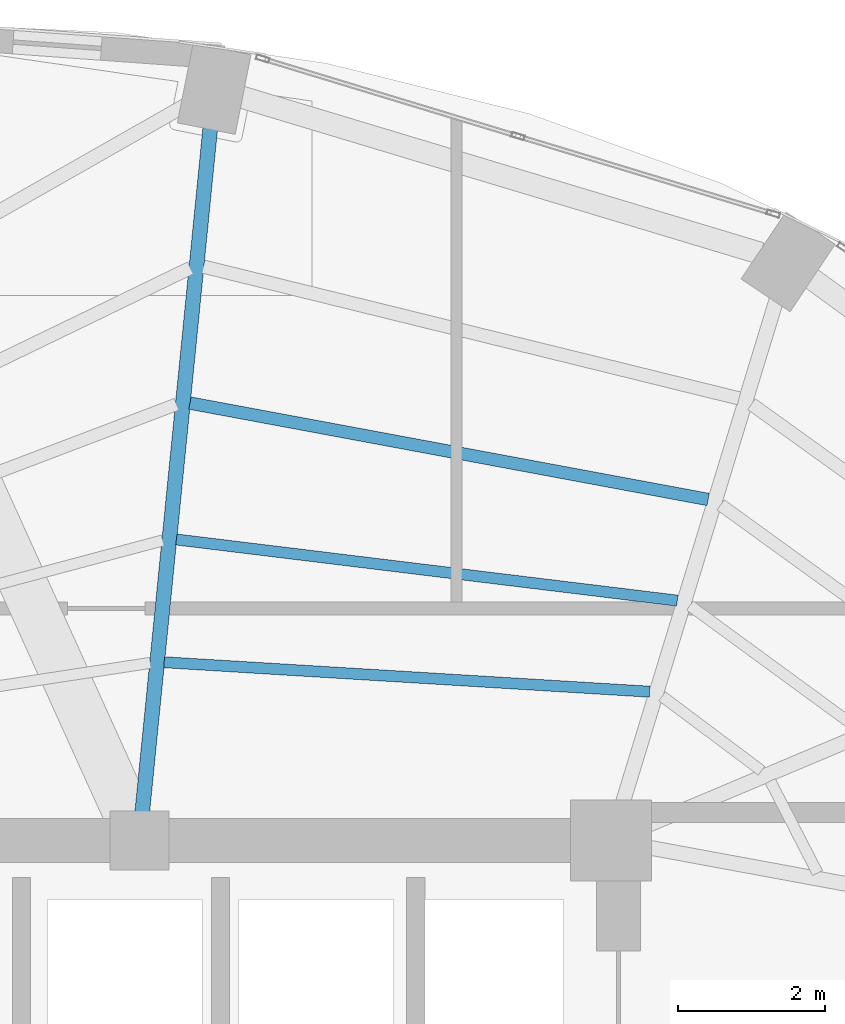
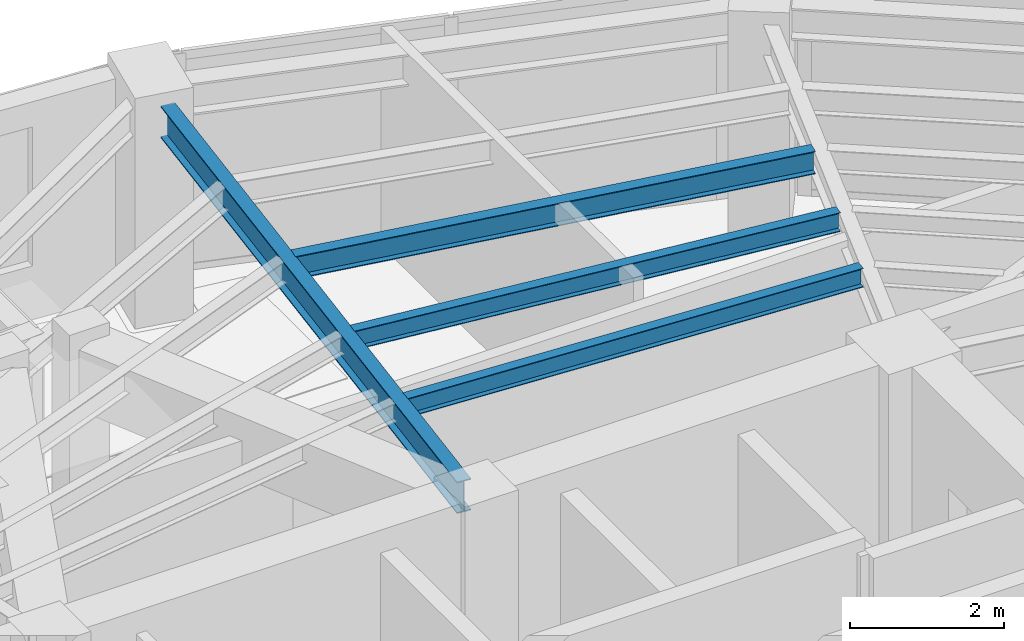
# One storey, part 12 of 23: 4 beams.
"""IFC4 building model written with IfcOpenShell, lengths in metres."""

from ifc_helpers import new_model, si_unit, direction, frame, origin, origin_2d, place, context, subcontext, project, spatial, i_section, extrude, material, material_profile, profile_set, type_object, element, save


model = new_model("IFC4")

# Units and contexts
model_context = context("Model", 3, precision=1e-05, world=origin(), true_north=direction((0.0, 1.0)))
body_context = subcontext(model_context, "Body", "Model", "MODEL_VIEW")
ifc_project = project(units=[si_unit("LENGTHUNIT", "METRE"), si_unit("AREAUNIT", "SQUARE_METRE"), si_unit("VOLUMEUNIT", "CUBIC_METRE"), si_unit("PLANEANGLEUNIT", "RADIAN"), si_unit("MASSUNIT", "GRAM", prefix="KILO")], contexts=[model_context])

# Site, building, storey
site_placement = place(None, origin())
site = spatial("IfcSite", under=ifc_project, at=site_placement, CompositionType="ELEMENT")
building_placement = place(site_placement, origin())
building = spatial("IfcBuilding", under=site, at=building_placement, Name="Lazwardi Medical Tower", CompositionType="ELEMENT")
storey_placement = place(building_placement, frame((0.0, 0.0, 213.072021484375)))
storey = spatial("IfcBuildingStorey", under=building, at=storey_placement, Name="L55", CompositionType="ELEMENT", Elevation=213.072021484375)

# Beams
ifc_material = material(Name="Steel S355", Category="steel")
ifc_material_profile_1 = material_profile(ifc_material, i_section(OverallWidth=0.199951171875, OverallDepth=0.5, WebThickness=0.01025390625, FlangeThickness=0.01611328125, at=origin_2d()), Name="IPE 500")
ifc_profile_set_1 = profile_set([ifc_material_profile_1], Name="Steel S355")
beam_type_1 = type_object("IfcBeamType", Name="BM-RG-W3", PredefinedType="BEAM", material=ifc_profile_set_1)
beam_1_placement = place(storey_placement, frame((40.1611328125, 45.265869140625, 3.197998046875), z_axis=(-0.098954361922, -0.995091972763, 0.0), x_axis=(0.995091972763, -0.098954361922, 0.0)))
element("IfcBeam", 1, at=beam_1_placement, inside=storey, type_object=beam_type_1, Name="Radial girder RG-04 R08 L55", PredefinedType="BEAM", context=body_context, shape_type="SweptSolid", body=[
    extrude(i_section(OverallWidth=0.199951171875, OverallDepth=0.5, WebThickness=0.01025390625, FlangeThickness=0.01611328125, at=origin_2d()), origin(), (0.0, 0.0, 1.0), 9.32861328125),
])
ifc_material_profile_2 = material_profile(ifc_material, i_section(OverallWidth=0.169921875, OverallDepth=0.360107421875, WebThickness=0.008056640625, FlangeThickness=0.0126953125, at=origin_2d()), Name="IPE 360")
ifc_profile_set_2 = profile_set([ifc_material_profile_2], Name="Steel S355")
beam_type_2 = type_object("IfcBeamType", Name="BM-SJ-02", PredefinedType="JOIST", material=ifc_profile_set_2)
beam_2_placement = place(storey_placement, frame((46.91552734375, 40.2275390625, 3.26806640625), z_axis=(-0.983132476587, 0.182894870019, 0.0), x_axis=(-0.182894870019, -0.983132476587, 0.0)))
element("IfcBeam", 2, at=beam_2_placement, inside=storey, type_object=beam_type_2, Name="Secondary joist SJ-02 R2 B07 L55", PredefinedType="JOIST", context=body_context, shape_type="SweptSolid", body=[
    extrude(i_section(OverallWidth=0.169921875, OverallDepth=0.360107421875, WebThickness=0.008056640625, FlangeThickness=0.0126953125, at=origin_2d()), origin(), (0.0, 0.0, 1.0), 7.15087890625),
])
ifc_material_profile_3 = material_profile(ifc_material, i_section(OverallWidth=0.14990234375, OverallDepth=0.300048828125, WebThickness=0.007080078125, FlangeThickness=0.0107421875, at=origin_2d()), Name="IPE 300")
ifc_profile_set_3 = profile_set([ifc_material_profile_3], Name="Steel S355")
beam_type_3 = type_object("IfcBeamType", Name="BM-SJ-03", PredefinedType="JOIST", material=ifc_profile_set_3)
beam_3_placement = place(storey_placement, frame((46.4970703125, 38.85546875, 3.298095703125), z_axis=(-0.992634689535, 0.121146081783, 0.0), x_axis=(-0.121146081783, -0.992634689535, 0.0)))
element("IfcBeam", 3, at=beam_3_placement, inside=storey, type_object=beam_type_3, Name="Secondary joist SJ-03 R3 B07 L55", PredefinedType="JOIST", context=body_context, shape_type="SweptSolid", body=[
    extrude(i_section(OverallWidth=0.14990234375, OverallDepth=0.300048828125, WebThickness=0.007080078125, FlangeThickness=0.0107421875, at=origin_2d()), origin(), (0.0, 0.0, 1.0), 6.845947265625),
])
beam_4_placement = place(storey_placement, frame((46.120849609375, 37.6201171875, 3.298095703125), z_axis=(-0.998165515862, 0.060544223044, 0.0), x_axis=(-0.060544223044, -0.998165515862, 0.0)))
element("IfcBeam", 4, at=beam_4_placement, inside=storey, type_object=beam_type_3, Name="Secondary joist SJ-03 R4 B07 L55", PredefinedType="JOIST", context=body_context, shape_type="SweptSolid", body=[
    extrude(i_section(OverallWidth=0.14990234375, OverallDepth=0.300048828125, WebThickness=0.007080078125, FlangeThickness=0.0107421875, at=origin_2d()), origin(), (0.0, 0.0, 1.0), 6.59716796875),
])

save(model, "model.ifc")
